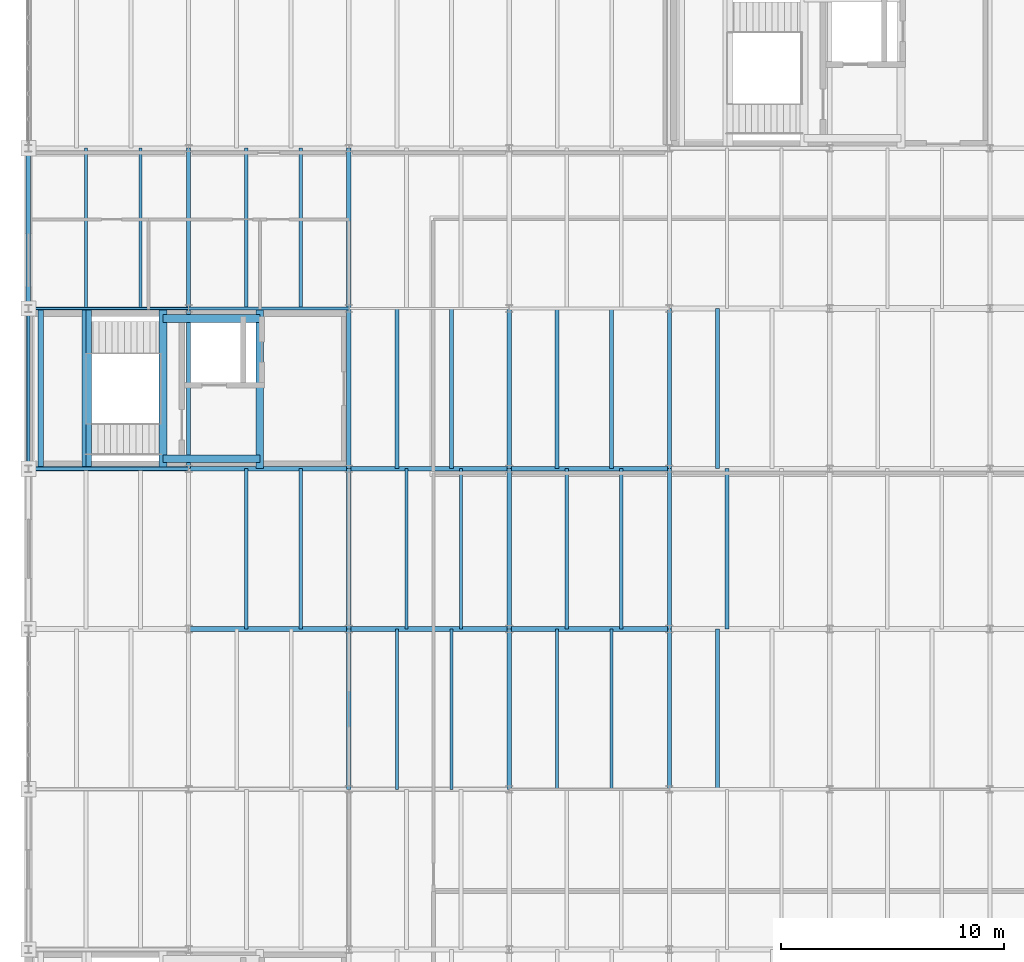
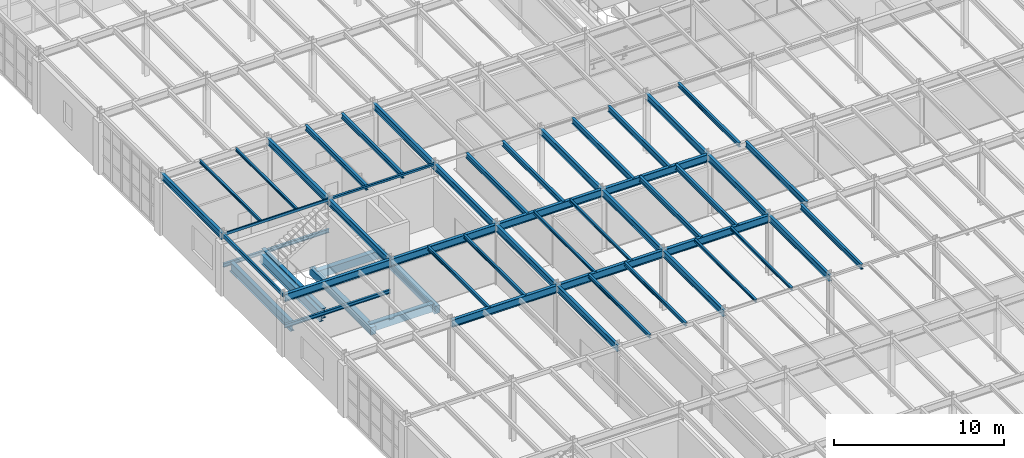
# One storey, part 33 of 137: 53 beams.
"""IFC4 building model written with IfcOpenShell, lengths in metres."""

from ifc_helpers import new_model, si_unit, direction, frame, origin, origin_2d, place, context, subcontext, project, spatial, rectangle, hollow_rectangle, i_section, extrude, material, material_profile, profile_set, type_object, element, save


model = new_model("IFC4")

# Units and contexts
model_context = context("Model", 3, precision=1e-05, world=origin(), true_north=direction((0.0, 1.0)))
body_context = subcontext(model_context, "Body", "Model", "MODEL_VIEW")
ifc_project = project(units=[si_unit("LENGTHUNIT", "METRE"), si_unit("AREAUNIT", "SQUARE_METRE"), si_unit("VOLUMEUNIT", "CUBIC_METRE"), si_unit("PLANEANGLEUNIT", "RADIAN"), si_unit("MASSUNIT", "GRAM", prefix="KILO")], contexts=[model_context])

# Site, building, storey
site_placement = place(None, origin())
site = spatial("IfcSite", under=ifc_project, at=site_placement, CompositionType="ELEMENT")
building_placement = place(site_placement, origin())
building = spatial("IfcBuilding", under=site, at=building_placement, Name="Kemerveld Promenade Tramway Depot", CompositionType="ELEMENT")
storey_placement = place(building_placement, frame((0.0, 0.0, 5.39990234375)))
storey = spatial("IfcBuildingStorey", under=building, at=storey_placement, Name="L01", CompositionType="ELEMENT", Elevation=5.39990234375)

# Beams
ifc_material_1 = material(Name="Steel S355", Category="steel")
ifc_material_profile_1 = material_profile(ifc_material_1, i_section(OverallWidth=0.25439453125, OverallDepth=0.6875, WebThickness=0.01318359375, FlangeThickness=0.02099609375, FilletRadius=0.01513671875, at=origin_2d()), Name="686x254x152 UB")
ifc_profile_set_1 = profile_set([ifc_material_profile_1], Name="Steel S355")
beam_type_1 = type_object("IfcBeamType", Name="BM-G03", PredefinedType="BEAM", material=ifc_profile_set_1)
for number, where, z_axis, x_axis, name in (
    (1, (0.550048828125, 43.199951171875, 1.726318359375), (0.0, 1.0, 0.0), (-1.0, 0.0, 0.0), "BM-HL-ST-02-L01-W"),
    (2, (2.530029296875, 43.199951171875, 1.726318359375), (0.0, 1.0, 0.0), (-1.0, 0.0, 0.0), "BM-HL-ST-02-L01-M"),
    (3, (2.719970703125, 43.199951171875, 1.906494140625), (0.0, 1.0, 0.0), (-1.0, 0.0, 0.0), "BM-HL-ST-02-L01-F2"),
):
    element("IfcBeam", number, at=place(storey_placement, frame(where, z_axis=z_axis, x_axis=x_axis)), inside=storey, type_object=beam_type_1, Name=name, PredefinedType="BEAM", context=body_context, shape_type="SweptSolid", body=[
        extrude(i_section(OverallWidth=0.25439453125, OverallDepth=0.6875, WebThickness=0.01318359375, FlangeThickness=0.02099609375, FilletRadius=0.01513671875, at=origin_2d()), origin(), (0.0, 0.0, 1.0), 7.199951171875),
    ])
ifc_material_profile_2 = material_profile(ifc_material_1, i_section(OverallWidth=0.2099609375, OverallDepth=0.53662109375, WebThickness=0.0107421875, FlangeThickness=0.017333984375, FilletRadius=0.0126953125, at=origin_2d()), Name="533x210x101 UB")
ifc_profile_set_2 = profile_set([ifc_material_profile_2], Name="Steel S355")
beam_type_2 = type_object("IfcBeamType", Name="BM-G05", PredefinedType="BEAM", material=ifc_profile_set_2)
beam_1_placement = place(storey_placement, frame((7.199951171875, 36.0, 3.99169921875), z_axis=(1.0, 0.0, 0.0), x_axis=(0.0, 1.0, 0.0)))
element("IfcBeam", 4, at=beam_1_placement, inside=storey, type_object=beam_type_2, Name="BMX-L01-02-03-F", PredefinedType="BEAM", context=body_context, shape_type="SweptSolid", body=[
    extrude(i_section(OverallWidth=0.2099609375, OverallDepth=0.53662109375, WebThickness=0.0107421875, FlangeThickness=0.017333984375, FilletRadius=0.0126953125, at=origin_2d()), origin(), (0.0, 0.0, 1.0), 7.199951171875),
])
beam_2_placement = place(storey_placement, frame((14.39990234375, 36.0, 3.99169921875), z_axis=(1.0, 0.0, 0.0), x_axis=(0.0, 1.0, 0.0)))
element("IfcBeam", 5, at=beam_2_placement, inside=storey, type_object=beam_type_2, Name="BMX-L01-03-04-F", PredefinedType="BEAM", context=body_context, shape_type="SweptSolid", body=[
    extrude(i_section(OverallWidth=0.2099609375, OverallDepth=0.53662109375, WebThickness=0.0107421875, FlangeThickness=0.017333984375, FilletRadius=0.0126953125, at=origin_2d()), origin(), (0.0, 0.0, 1.0), 7.2001953125),
])
for number, where, z_axis, x_axis, name in (
    (6, (21.60009765625, 36.0, 3.99169921875), (1.0, 0.0, 0.0), (0.0, 1.0, 0.0), "BMX-L01-04-05-F"),
    (7, (0.0, 43.199951171875, 3.99169921875), (1.0, 0.0, 0.0), (0.0, 1.0, 0.0), "BMX-L01-01-02-G"),
    (8, (7.199951171875, 43.199951171875, 3.99169921875), (1.0, 0.0, 0.0), (0.0, 1.0, 0.0), "BMX-L01-02-03-G"),
):
    element("IfcBeam", number, at=place(storey_placement, frame(where, z_axis=z_axis, x_axis=x_axis)), inside=storey, type_object=beam_type_2, Name=name, PredefinedType="BEAM", context=body_context, shape_type="SweptSolid", body=[
        extrude(i_section(OverallWidth=0.2099609375, OverallDepth=0.53662109375, WebThickness=0.0107421875, FlangeThickness=0.017333984375, FilletRadius=0.0126953125, at=origin_2d()), origin(), (0.0, 0.0, 1.0), 7.199951171875),
    ])
beam_3_placement = place(storey_placement, frame((14.39990234375, 43.199951171875, 3.99169921875), z_axis=(1.0, 0.0, 0.0), x_axis=(0.0, 1.0, 0.0)))
element("IfcBeam", 9, at=beam_3_placement, inside=storey, type_object=beam_type_2, Name="BMX-L01-03-04-G", PredefinedType="BEAM", context=body_context, shape_type="SweptSolid", body=[
    extrude(i_section(OverallWidth=0.2099609375, OverallDepth=0.53662109375, WebThickness=0.0107421875, FlangeThickness=0.017333984375, FilletRadius=0.0126953125, at=origin_2d()), origin(), (0.0, 0.0, 1.0), 7.2001953125),
])
beam_4_placement = place(storey_placement, frame((21.60009765625, 43.199951171875, 3.99169921875), z_axis=(1.0, 0.0, 0.0), x_axis=(0.0, 1.0, 0.0)))
element("IfcBeam", 10, at=beam_4_placement, inside=storey, type_object=beam_type_2, Name="BMX-L01-04-05-G", PredefinedType="BEAM", context=body_context, shape_type="SweptSolid", body=[
    extrude(i_section(OverallWidth=0.2099609375, OverallDepth=0.53662109375, WebThickness=0.0107421875, FlangeThickness=0.017333984375, FilletRadius=0.0126953125, at=origin_2d()), origin(), (0.0, 0.0, 1.0), 7.199951171875),
])
ifc_material_profile_3 = material_profile(ifc_material_1, i_section(OverallWidth=0.19140625, OverallDepth=0.4599609375, WebThickness=0.010009765625, FlangeThickness=0.01611328125, FilletRadius=0.01025390625, at=origin_2d()), Name="457x191x82 UB")
ifc_profile_set_3 = profile_set([ifc_material_profile_3], Name="Steel S355")
beam_type_3 = type_object("IfcBeamType", Name="BM-G06", PredefinedType="BEAM", material=ifc_profile_set_3)
beam_5_placement = place(storey_placement, frame((0.0, 50.39990234375, 4.030029296875), z_axis=(0.0, 1.0, 0.0), x_axis=(-1.0, 0.0, 0.0)))
element("IfcBeam", 11, at=beam_5_placement, inside=storey, type_object=beam_type_3, Name="BMY-L01-01-H-J", PredefinedType="BEAM", context=body_context, shape_type="SweptSolid", body=[
    extrude(i_section(OverallWidth=0.19140625, OverallDepth=0.4599609375, WebThickness=0.010009765625, FlangeThickness=0.01611328125, FilletRadius=0.01025390625, at=origin_2d()), origin(), (0.0, 0.0, 1.0), 7.2001953125),
])
beam_6_placement = place(storey_placement, frame((7.199951171875, 43.199951171875, 4.030029296875), z_axis=(0.0, 1.0, 0.0), x_axis=(-1.0, 0.0, 0.0)))
element("IfcBeam", 12, at=beam_6_placement, inside=storey, type_object=beam_type_3, Name="BMY-L01-02-G-H", PredefinedType="BEAM", context=body_context, shape_type="SweptSolid", body=[
    extrude(i_section(OverallWidth=0.19140625, OverallDepth=0.4599609375, WebThickness=0.010009765625, FlangeThickness=0.01611328125, FilletRadius=0.01025390625, at=origin_2d()), origin(), (0.0, 0.0, 1.0), 7.199951171875),
])
beam_7_placement = place(storey_placement, frame((7.199951171875, 50.39990234375, 4.030029296875), z_axis=(0.0, 1.0, 0.0), x_axis=(-1.0, 0.0, 0.0)))
element("IfcBeam", 13, at=beam_7_placement, inside=storey, type_object=beam_type_3, Name="BMY-L01-02-H-J", PredefinedType="BEAM", context=body_context, shape_type="SweptSolid", body=[
    extrude(i_section(OverallWidth=0.19140625, OverallDepth=0.4599609375, WebThickness=0.010009765625, FlangeThickness=0.01611328125, FilletRadius=0.01025390625, at=origin_2d()), origin(), (0.0, 0.0, 1.0), 7.2001953125),
])
for number, where, z_axis, x_axis, name in (
    (14, (14.39990234375, 28.800048828125, 4.030029296875), (0.0, 1.0, 0.0), (-1.0, 0.0, 0.0), "BMY-L01-03-E-F"),
    (15, (14.39990234375, 36.0, 4.030029296875), (0.0, 1.0, 0.0), (-1.0, 0.0, 0.0), "BMY-L01-03-F-G"),
    (16, (14.39990234375, 43.199951171875, 4.030029296875), (0.0, 1.0, 0.0), (-1.0, 0.0, 0.0), "BMY-L01-03-G-H"),
):
    element("IfcBeam", number, at=place(storey_placement, frame(where, z_axis=z_axis, x_axis=x_axis)), inside=storey, type_object=beam_type_3, Name=name, PredefinedType="BEAM", context=body_context, shape_type="SweptSolid", body=[
        extrude(i_section(OverallWidth=0.19140625, OverallDepth=0.4599609375, WebThickness=0.010009765625, FlangeThickness=0.01611328125, FilletRadius=0.01025390625, at=origin_2d()), origin(), (0.0, 0.0, 1.0), 7.199951171875),
    ])
beam_8_placement = place(storey_placement, frame((14.39990234375, 50.39990234375, 4.030029296875), z_axis=(0.0, 1.0, 0.0), x_axis=(-1.0, 0.0, 0.0)))
element("IfcBeam", 17, at=beam_8_placement, inside=storey, type_object=beam_type_3, Name="BMY-L01-03-H-J", PredefinedType="BEAM", context=body_context, shape_type="SweptSolid", body=[
    extrude(i_section(OverallWidth=0.19140625, OverallDepth=0.4599609375, WebThickness=0.010009765625, FlangeThickness=0.01611328125, FilletRadius=0.01025390625, at=origin_2d()), origin(), (0.0, 0.0, 1.0), 7.2001953125),
])
for number, where, z_axis, x_axis, name in (
    (18, (21.60009765625, 28.800048828125, 4.030029296875), (0.0, 1.0, 0.0), (-1.0, 0.0, 0.0), "BMY-L01-04-E-F"),
    (19, (21.60009765625, 36.0, 4.030029296875), (0.0, 1.0, 0.0), (-1.0, 0.0, 0.0), "BMY-L01-04-F-G"),
    (20, (21.60009765625, 43.199951171875, 4.030029296875), (0.0, 1.0, 0.0), (-1.0, 0.0, 0.0), "BMY-L01-04-G-H"),
    (21, (28.800048828125, 28.800048828125, 4.030029296875), (0.0, 1.0, 0.0), (-1.0, 0.0, 0.0), "BMY-L01-05-E-F"),
    (22, (28.800048828125, 36.0, 4.030029296875), (0.0, 1.0, 0.0), (-1.0, 0.0, 0.0), "BMY-L01-05-F-G"),
    (23, (28.800048828125, 43.199951171875, 4.030029296875), (0.0, 1.0, 0.0), (-1.0, 0.0, 0.0), "BMY-L01-05-G-H"),
):
    element("IfcBeam", number, at=place(storey_placement, frame(where, z_axis=z_axis, x_axis=x_axis)), inside=storey, type_object=beam_type_3, Name=name, PredefinedType="BEAM", context=body_context, shape_type="SweptSolid", body=[
        extrude(i_section(OverallWidth=0.19140625, OverallDepth=0.4599609375, WebThickness=0.010009765625, FlangeThickness=0.01611328125, FilletRadius=0.01025390625, at=origin_2d()), origin(), (0.0, 0.0, 1.0), 7.199951171875),
    ])
ifc_material_profile_4 = material_profile(ifc_material_1, i_section(OverallWidth=0.165771484375, OverallDepth=0.306640625, WebThickness=0.006591796875, FlangeThickness=0.01171875, FilletRadius=0.0087890625, at=origin_2d()), Name="305x165x46 UB")
ifc_profile_set_4 = profile_set([ifc_material_profile_4], Name="Steel S355")
beam_type_4 = type_object("IfcBeamType", Name="BM-J01", PredefinedType="JOIST", material=ifc_profile_set_4)
beam_9_placement = place(storey_placement, frame((30.9599609375, 43.199951171875, 4.106689453125), z_axis=(0.0, 1.0, 0.0), x_axis=(-1.0, 0.0, 0.0)))
element("IfcBeam", 24, at=beam_9_placement, inside=storey, type_object=beam_type_4, Name="JST-L01-05-G-1", PredefinedType="JOIST", context=body_context, shape_type="SweptSolid", body=[
    extrude(i_section(OverallWidth=0.165771484375, OverallDepth=0.306640625, WebThickness=0.006591796875, FlangeThickness=0.01171875, FilletRadius=0.0087890625, at=origin_2d()), origin(), (0.0, 0.0, 1.0), 7.199951171875),
])
ifc_material_profile_5 = material_profile(ifc_material_1, i_section(OverallWidth=0.146484375, OverallDepth=0.256103515625, WebThickness=0.00634765625, FlangeThickness=0.010986328125, FilletRadius=0.007568359375, at=origin_2d()), Name="254x146x37 UB")
ifc_profile_set_5 = profile_set([ifc_material_profile_5], Name="Steel S355")
beam_type_5 = type_object("IfcBeamType", Name="BM-J02", PredefinedType="JOIST", material=ifc_profile_set_5)
for number, where, z_axis, x_axis, name in (
    (25, (9.7919921875, 36.0, 4.132080078125), (0.0, 1.0, 0.0), (-1.0, 0.0, 0.0), "JST-L01-02-F-1"),
    (26, (12.239990234375, 36.0, 4.132080078125), (0.0, 1.0, 0.0), (-1.0, 0.0, 0.0), "JST-L01-02-F-2"),
    (27, (16.56005859375, 28.800048828125, 4.132080078125), (0.0, 1.0, 0.0), (-1.0, 0.0, 0.0), "JST-L01-03-E-1"),
    (28, (19.008056640625, 28.800048828125, 4.132080078125), (0.0, 1.0, 0.0), (-1.0, 0.0, 0.0), "JST-L01-03-E-2"),
    (29, (0.0, 43.199951171875, 1.942138671875), (1.0, 0.0, 0.0), (0.0, 1.0, 0.0), "BM-HLY-ST-02-L01-S"),
    (30, (0.0, 50.39990234375, 1.942138671875), (1.0, 0.0, 0.0), (0.0, 1.0, 0.0), "BM-HLY-ST-02-L01-N"),
):
    element("IfcBeam", number, at=place(storey_placement, frame(where, z_axis=z_axis, x_axis=x_axis)), inside=storey, type_object=beam_type_5, Name=name, PredefinedType="JOIST", context=body_context, shape_type="SweptSolid", body=[
        extrude(i_section(OverallWidth=0.146484375, OverallDepth=0.256103515625, WebThickness=0.00634765625, FlangeThickness=0.010986328125, FilletRadius=0.007568359375, at=origin_2d()), origin(), (0.0, 0.0, 1.0), 7.199951171875),
    ])
ifc_material_profile_6 = material_profile(ifc_material_1, i_section(OverallWidth=0.13330078125, OverallDepth=0.203125, WebThickness=0.005615234375, FlangeThickness=0.0078125, FilletRadius=0.007568359375, at=origin_2d()), Name="203x133x25 UB")
ifc_profile_set_6 = profile_set([ifc_material_profile_6], Name="Steel S355")
beam_type_6 = type_object("IfcBeamType", Name="BM-J03", PredefinedType="JOIST", material=ifc_profile_set_6)
for number, where, z_axis, x_axis, name in (
    (31, (2.592041015625, 50.39990234375, 4.158447265625), (0.0, 1.0, 0.0), (-1.0, 0.0, 0.0), "JST-L01-01-H-1"),
    (32, (5.0400390625, 50.39990234375, 4.158447265625), (0.0, 1.0, 0.0), (-1.0, 0.0, 0.0), "JST-L01-01-H-2"),
):
    element("IfcBeam", number, at=place(storey_placement, frame(where, z_axis=z_axis, x_axis=x_axis)), inside=storey, type_object=beam_type_6, Name=name, PredefinedType="JOIST", context=body_context, shape_type="SweptSolid", body=[
        extrude(i_section(OverallWidth=0.13330078125, OverallDepth=0.203125, WebThickness=0.005615234375, FlangeThickness=0.0078125, FilletRadius=0.007568359375, at=origin_2d()), origin(), (0.0, 0.0, 1.0), 7.2001953125),
    ])
for number, where, z_axis, x_axis, name in (
    (33, (16.991943359375, 36.0, 4.158447265625), (0.0, 1.0, 0.0), (-1.0, 0.0, 0.0), "JST-L01-03-F-1"),
    (34, (19.43994140625, 36.0, 4.158447265625), (0.0, 1.0, 0.0), (-1.0, 0.0, 0.0), "JST-L01-03-F-2"),
    (35, (23.760009765625, 28.800048828125, 4.158447265625), (0.0, 1.0, 0.0), (-1.0, 0.0, 0.0), "JST-L01-04-E-1"),
    (36, (26.2080078125, 28.800048828125, 4.158447265625), (0.0, 1.0, 0.0), (-1.0, 0.0, 0.0), "JST-L01-04-E-2"),
):
    element("IfcBeam", number, at=place(storey_placement, frame(where, z_axis=z_axis, x_axis=x_axis)), inside=storey, type_object=beam_type_6, Name=name, PredefinedType="JOIST", context=body_context, shape_type="SweptSolid", body=[
        extrude(i_section(OverallWidth=0.13330078125, OverallDepth=0.203125, WebThickness=0.005615234375, FlangeThickness=0.0078125, FilletRadius=0.007568359375, at=origin_2d()), origin(), (0.0, 0.0, 1.0), 7.199951171875),
    ])
ifc_material_profile_7 = material_profile(ifc_material_1, i_section(OverallWidth=0.172119140625, OverallDepth=0.35791015625, WebThickness=0.008056640625, FlangeThickness=0.012939453125, FilletRadius=0.01025390625, at=origin_2d()), Name="356x171x57 UB")
ifc_profile_set_7 = profile_set([ifc_material_profile_7], Name="Steel S355")
beam_type_7 = type_object("IfcBeamType", Name="BM-J04", PredefinedType="JOIST", material=ifc_profile_set_7)
for number, where, z_axis, x_axis, name in (
    (37, (9.7919921875, 50.39990234375, 4.0810546875), (0.0, 1.0, 0.0), (-1.0, 0.0, 0.0), "JST-L01-02-H-1"),
    (38, (12.239990234375, 50.39990234375, 4.0810546875), (0.0, 1.0, 0.0), (-1.0, 0.0, 0.0), "JST-L01-02-H-2"),
):
    element("IfcBeam", number, at=place(storey_placement, frame(where, z_axis=z_axis, x_axis=x_axis)), inside=storey, type_object=beam_type_7, Name=name, PredefinedType="JOIST", context=body_context, shape_type="SweptSolid", body=[
        extrude(i_section(OverallWidth=0.172119140625, OverallDepth=0.35791015625, WebThickness=0.008056640625, FlangeThickness=0.012939453125, FilletRadius=0.01025390625, at=origin_2d()), origin(), (0.0, 0.0, 1.0), 7.2001953125),
    ])
for number, where, z_axis, x_axis, name in (
    (39, (16.56005859375, 43.199951171875, 4.0810546875), (0.0, 1.0, 0.0), (-1.0, 0.0, 0.0), "JST-L01-03-G-1"),
    (40, (19.008056640625, 43.199951171875, 4.0810546875), (0.0, 1.0, 0.0), (-1.0, 0.0, 0.0), "JST-L01-03-G-2"),
    (41, (24.19189453125, 36.0, 4.0810546875), (0.0, 1.0, 0.0), (-1.0, 0.0, 0.0), "JST-L01-04-F-1"),
    (42, (26.639892578125, 36.0, 4.0810546875), (0.0, 1.0, 0.0), (-1.0, 0.0, 0.0), "JST-L01-04-F-2"),
    (43, (30.9599609375, 28.800048828125, 4.0810546875), (0.0, 1.0, 0.0), (-1.0, 0.0, 0.0), "JST-L01-05-E-1"),
):
    element("IfcBeam", number, at=place(storey_placement, frame(where, z_axis=z_axis, x_axis=x_axis)), inside=storey, type_object=beam_type_7, Name=name, PredefinedType="JOIST", context=body_context, shape_type="SweptSolid", body=[
        extrude(i_section(OverallWidth=0.172119140625, OverallDepth=0.35791015625, WebThickness=0.008056640625, FlangeThickness=0.012939453125, FilletRadius=0.01025390625, at=origin_2d()), origin(), (0.0, 0.0, 1.0), 7.199951171875),
    ])
ifc_material_profile_8 = material_profile(ifc_material_1, i_section(OverallWidth=0.1787109375, OverallDepth=0.409423828125, WebThickness=0.0087890625, FlangeThickness=0.014404296875, FilletRadius=0.01025390625, at=origin_2d()), Name="406x178x67 UB")
ifc_profile_set_8 = profile_set([ifc_material_profile_8], Name="Steel S355")
beam_type_8 = type_object("IfcBeamType", Name="BM-J05", PredefinedType="JOIST", material=ifc_profile_set_8)
for number, where, z_axis, x_axis, name in (
    (44, (23.760009765625, 43.199951171875, 4.055419921875), (0.0, 1.0, 0.0), (-1.0, 0.0, 0.0), "JST-L01-04-G-1"),
    (45, (26.2080078125, 43.199951171875, 4.055419921875), (0.0, 1.0, 0.0), (-1.0, 0.0, 0.0), "JST-L01-04-G-2"),
    (46, (31.39208984375, 36.0, 4.055419921875), (0.0, 1.0, 0.0), (-1.0, 0.0, 0.0), "JST-L01-05-F-1"),
):
    element("IfcBeam", number, at=place(storey_placement, frame(where, z_axis=z_axis, x_axis=x_axis)), inside=storey, type_object=beam_type_8, Name=name, PredefinedType="JOIST", context=body_context, shape_type="SweptSolid", body=[
        extrude(i_section(OverallWidth=0.1787109375, OverallDepth=0.409423828125, WebThickness=0.0087890625, FlangeThickness=0.014404296875, FilletRadius=0.01025390625, at=origin_2d()), origin(), (0.0, 0.0, 1.0), 7.199951171875),
    ])
ifc_material_2 = material(Name="Concrete C40/50", Category="concrete")
ifc_material_profile_9 = material_profile(ifc_material_2, rectangle(XDim=0.35009765625, YDim=0.550048828125, at=origin_2d()), Name="RC-BM-350x550")
ifc_profile_set_9 = profile_set([ifc_material_profile_9], Name="Concrete C40/50")
beam_type_9 = type_object("IfcBeamType", Name="BM-RC3", PredefinedType="BEAM", material=ifc_profile_set_9)
for number, where, z_axis, x_axis, name in (
    (47, (6.050048828125, 43.199951171875, -0.52978515625), (0.0, 1.0, 0.0), (-1.0, 0.0, 0.0), "BM-CORE-C2-L01-W"),
    (48, (10.39990234375, 43.199951171875, -0.52978515625), (0.0, 1.0, 0.0), (-1.0, 0.0, 0.0), "BM-CORE-C2-L01-E"),
):
    element("IfcBeam", number, at=place(storey_placement, frame(where, z_axis=z_axis, x_axis=x_axis)), inside=storey, type_object=beam_type_9, Name=name, PredefinedType="BEAM", context=body_context, shape_type="SweptSolid", body=[
        extrude(rectangle(XDim=0.35009765625, YDim=0.550048828125, at=origin_2d()), origin(), (0.0, 0.0, 1.0), 7.199951171875),
    ])
for number, where, z_axis, x_axis, name in (
    (49, (6.050048828125, 43.64990234375, -0.52978515625), (1.0, 0.0, 0.0), (0.0, 1.0, 0.0), "BM-COREX-C2-L01-S"),
    (50, (6.050048828125, 49.949951171875, -0.52978515625), (1.0, 0.0, 0.0), (0.0, 1.0, 0.0), "BM-COREX-C2-L01-N"),
):
    element("IfcBeam", number, at=place(storey_placement, frame(where, z_axis=z_axis, x_axis=x_axis)), inside=storey, type_object=beam_type_9, Name=name, PredefinedType="BEAM", context=body_context, shape_type="SweptSolid", body=[
        extrude(rectangle(XDim=0.35009765625, YDim=0.550048828125, at=origin_2d()), origin(), (0.0, 0.0, 1.0), 4.349853515625),
    ])
ifc_material_profile_10 = material_profile(ifc_material_1, hollow_rectangle(XDim=0.14990234375, YDim=0.25, WallThickness=0.010009765625, InnerFilletRadius=0.0048828125, OuterFilletRadius=0.014892578125, at=origin_2d()), Name="250x150x10.0 RHS")
ifc_profile_set_10 = profile_set([ifc_material_profile_10], Name="Steel S355")
beam_type_10 = type_object("IfcBeamType", Name="BM-SP2", PredefinedType="SPANDREL", material=ifc_profile_set_10)
beam_10_placement = place(storey_placement, frame((0.0, 43.199951171875, 4.135009765625), z_axis=(0.0, 1.0, 0.0), x_axis=(-1.0, 0.0, 0.0)))
element("IfcBeam", 51, at=beam_10_placement, inside=storey, type_object=beam_type_10, Name="BMY-L01-01-G-H", PredefinedType="SPANDREL", context=body_context, shape_type="SweptSolid", body=[
    extrude(hollow_rectangle(XDim=0.14990234375, YDim=0.25, WallThickness=0.010009765625, InnerFilletRadius=0.0048828125, OuterFilletRadius=0.014892578125, at=origin_2d()), origin(), (0.0, 0.0, 1.0), 7.199951171875),
])
ifc_material_profile_11 = material_profile(ifc_material_1, hollow_rectangle(XDim=0.10009765625, YDim=0.199951171875, WallThickness=0.008056640625, InnerFilletRadius=0.00390625, OuterFilletRadius=0.011962890625, at=origin_2d()), Name="200x100x8.0 RHS")
ifc_profile_set_11 = profile_set([ifc_material_profile_11], Name="Steel S355")
beam_type_11 = type_object("IfcBeamType", Name="BM-SP3", PredefinedType="SPANDREL", material=ifc_profile_set_11)
beam_11_placement = place(storey_placement, frame((0.0, 50.39990234375, 4.16015625), z_axis=(1.0, 0.0, 0.0), x_axis=(0.0, 1.0, 0.0)))
element("IfcBeam", 52, at=beam_11_placement, inside=storey, type_object=beam_type_11, Name="BMX-L01-01-02-H", PredefinedType="SPANDREL", context=body_context, shape_type="SweptSolid", body=[
    extrude(hollow_rectangle(XDim=0.10009765625, YDim=0.199951171875, WallThickness=0.008056640625, InnerFilletRadius=0.00390625, OuterFilletRadius=0.011962890625, at=origin_2d()), origin(), (0.0, 0.0, 1.0), 7.199951171875),
])
ifc_material_profile_12 = material_profile(ifc_material_1, hollow_rectangle(XDim=0.14990234375, YDim=0.14990234375, WallThickness=0.008056640625, InnerFilletRadius=0.00390625, OuterFilletRadius=0.011962890625, at=origin_2d()), Name="150x150x8.0 SHS")
ifc_profile_set_12 = profile_set([ifc_material_profile_12], Name="Steel S355")
beam_type_12 = type_object("IfcBeamType", Name="BM-SP4", PredefinedType="SPANDREL", material=ifc_profile_set_12)
beam_12_placement = place(storey_placement, frame((7.199951171875, 50.39990234375, 4.18505859375), z_axis=(1.0, 0.0, 0.0), x_axis=(0.0, 1.0, 0.0)))
element("IfcBeam", 53, at=beam_12_placement, inside=storey, type_object=beam_type_12, Name="BMX-L01-02-03-H", PredefinedType="SPANDREL", context=body_context, shape_type="SweptSolid", body=[
    extrude(hollow_rectangle(XDim=0.14990234375, YDim=0.14990234375, WallThickness=0.008056640625, InnerFilletRadius=0.00390625, OuterFilletRadius=0.011962890625, at=origin_2d()), origin(), (0.0, 0.0, 1.0), 7.199951171875),
])

save(model, "model.ifc")
